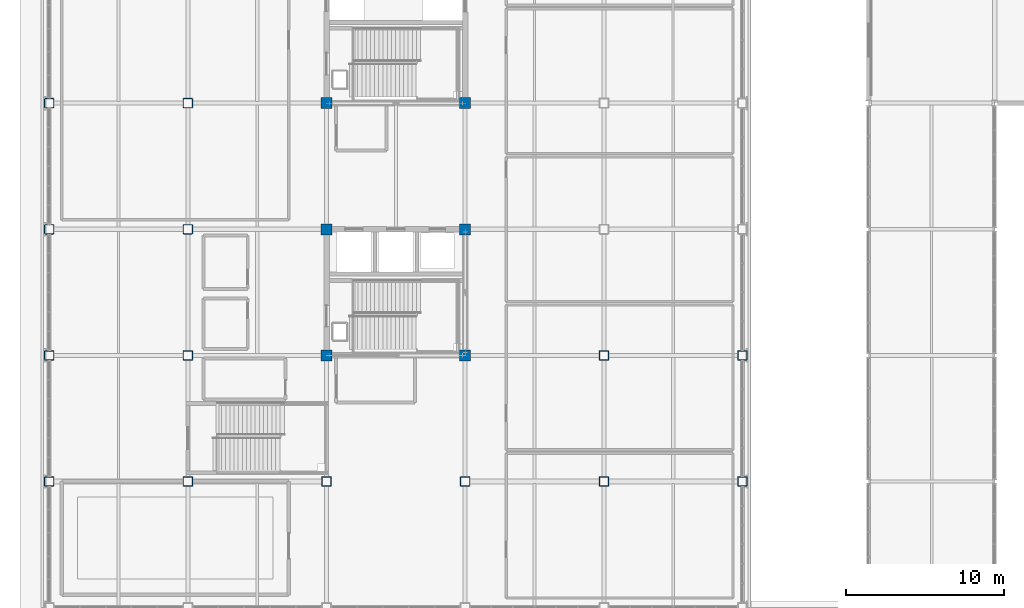
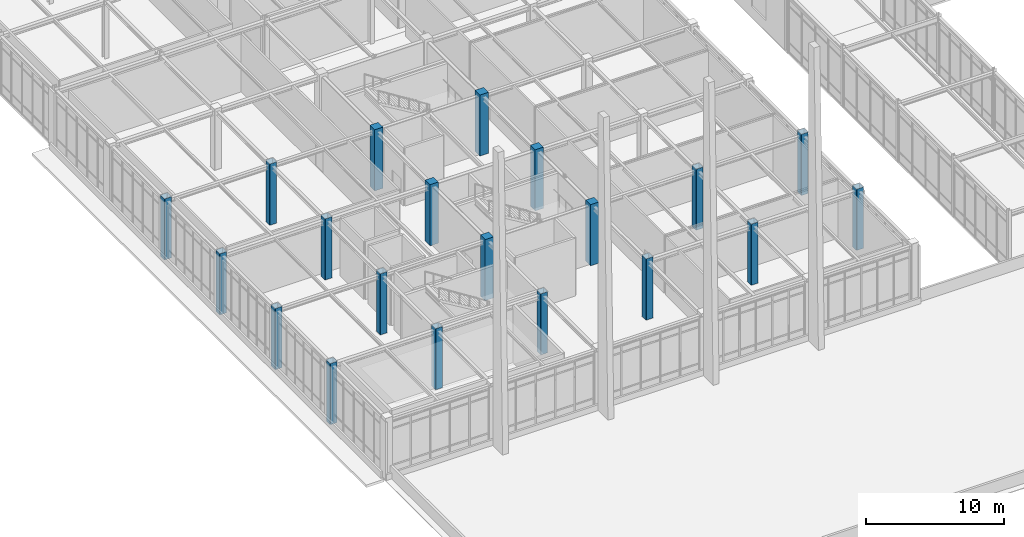
# One storey, part 3 of 108: 20 columns.
"""IFC4 building model written with IfcOpenShell, lengths in metres."""

from ifc_helpers import new_model, si_unit, direction, frame, origin, origin_2d, place, context, subcontext, project, spatial, rectangle, hollow_rectangle, extrude, material, material_profile, profile_set, type_object, element, save


model = new_model("IFC4")

# Units and contexts
model_context = context("Model", 3, precision=1e-05, world=origin(), true_north=direction((0.0, 1.0)))
body_context = subcontext(model_context, "Body", "Model", "MODEL_VIEW")
ifc_project = project(units=[si_unit("LENGTHUNIT", "METRE"), si_unit("AREAUNIT", "SQUARE_METRE"), si_unit("VOLUMEUNIT", "CUBIC_METRE"), si_unit("PLANEANGLEUNIT", "RADIAN"), si_unit("MASSUNIT", "GRAM", prefix="KILO")], contexts=[model_context])

# Site, building, storey
site_placement = place(None, origin())
site = spatial("IfcSite", under=ifc_project, at=site_placement, CompositionType="ELEMENT")
building_placement = place(site_placement, origin())
building = spatial("IfcBuilding", under=site, at=building_placement, Name="Zhaolan Boulevard Law Courts", CompositionType="ELEMENT")
storey_placement = place(building_placement, frame((0.0, 0.0, 10.800048828125)))
storey = spatial("IfcBuildingStorey", under=building, at=storey_placement, Name="L02", CompositionType="ELEMENT", Elevation=10.800048828125)

# Columns
ifc_material_1 = material(Name="Structural steel Q390B", Category="steel")
ifc_material_profile_1 = material_profile(ifc_material_1, hollow_rectangle(XDim=0.60009765625, YDim=0.60009765625, WallThickness=0.02392578125, InnerFilletRadius=0.02392578125, OuterFilletRadius=0.048095703125, at=origin_2d()), Name="BOX600x600x24")
ifc_profile_set_1 = profile_set([ifc_material_profile_1], Name="Structural steel Q390B")
column_type_1 = type_object("IfcColumnType", Name="COL BOX600", PredefinedType="COLUMN", material=ifc_profile_set_1)
for number, where, z_axis, x_axis, name in (
    (1, (0.0, 38.0, 0.0), (0.0, 0.0, 1.0), (1.0, 0.0, 0.0), "Column C-1F (L02)"),
    (2, (0.0, 46.0, 0.0), (0.0, 0.0, 1.0), (1.0, 0.0, 0.0), "Column C-1G (L02)"),
    (3, (0.0, 54.0, 0.0), (0.0, 0.0, 1.0), (1.0, 0.0, 0.0), "Column C-1H (L02)"),
    (4, (0.0, 62.0, 0.0), (0.0, 0.0, 1.0), (1.0, 0.0, 0.0), "Column C-1J (L02)"),
    (5, (8.800048828125, 38.0, 0.0), (0.0, 0.0, 1.0), (1.0, 0.0, 0.0), "Column C-2F (L02)"),
    (6, (8.800048828125, 46.0, 0.0), (0.0, 0.0, 1.0), (1.0, 0.0, 0.0), "Column C-2G (L02)"),
    (7, (8.800048828125, 54.0, 0.0), (0.0, 0.0, 1.0), (1.0, 0.0, 0.0), "Column C-2H (L02)"),
    (8, (8.800048828125, 62.0, 0.0), (0.0, 0.0, 1.0), (1.0, 0.0, 0.0), "Column C-2J (L02)"),
    (9, (17.60009765625, 38.0, 0.0), (0.0, 0.0, 1.0), (1.0, 0.0, 0.0), "Column C-3F (L02)"),
    (10, (26.39990234375, 38.0, 0.0), (0.0, 0.0, 1.0), (1.0, 0.0, 0.0), "Column C-4F (L02)"),
    (11, (35.199951171875, 38.0, 0.0), (0.0, 0.0, 1.0), (1.0, 0.0, 0.0), "Column C-5F (L02)"),
    (12, (35.199951171875, 46.0, 0.0), (0.0, 0.0, 1.0), (1.0, 0.0, 0.0), "Column C-5G (L02)"),
    (13, (44.0, 38.0, 0.0), (0.0, 0.0, 1.0), (1.0, 0.0, 0.0), "Column C-6F (L02)"),
    (14, (44.0, 46.0, 0.0), (0.0, 0.0, 1.0), (1.0, 0.0, 0.0), "Column C-6G (L02)"),
):
    element("IfcColumn", number, at=place(storey_placement, frame(where, z_axis=z_axis, x_axis=x_axis)), inside=storey, type_object=column_type_1, Name=name, PredefinedType="COLUMN", context=body_context, shape_type="SweptSolid", body=[
        extrude(hollow_rectangle(XDim=0.60009765625, YDim=0.60009765625, WallThickness=0.02392578125, InnerFilletRadius=0.02392578125, OuterFilletRadius=0.048095703125, at=origin_2d()), origin(), (0.0, 0.0, 1.0), 5.39990234375),
    ])
ifc_material_2 = material(Name="Concrete C50", Category="concrete")
ifc_material_profile_2 = material_profile(ifc_material_2, rectangle(XDim=0.699951171875, YDim=0.699951171875, at=origin_2d()), Name="RC700x700")
ifc_profile_set_2 = profile_set([ifc_material_profile_2], Name="Concrete C50")
column_type_2 = type_object("IfcColumnType", Name="COL RC700", PredefinedType="COLUMN", material=ifc_profile_set_2)
for number, where, z_axis, x_axis, name in (
    (15, (17.60009765625, 46.0, 0.0), (0.0, 0.0, 1.0), (1.0, 0.0, 0.0), "Column C-3G (L02)"),
    (16, (17.60009765625, 54.0, 0.0), (0.0, 0.0, 1.0), (1.0, 0.0, 0.0), "Column C-3H (L02)"),
    (17, (17.60009765625, 62.0, 0.0), (0.0, 0.0, 1.0), (1.0, 0.0, 0.0), "Column C-3J (L02)"),
    (18, (26.39990234375, 46.0, 0.0), (0.0, 0.0, 1.0), (1.0, 0.0, 0.0), "Column C-4G (L02)"),
    (19, (26.39990234375, 54.0, 0.0), (0.0, 0.0, 1.0), (1.0, 0.0, 0.0), "Column C-4H (L02)"),
    (20, (26.39990234375, 62.0, 0.0), (0.0, 0.0, 1.0), (1.0, 0.0, 0.0), "Column C-4J (L02)"),
):
    element("IfcColumn", number, at=place(storey_placement, frame(where, z_axis=z_axis, x_axis=x_axis)), inside=storey, type_object=column_type_2, Name=name, PredefinedType="COLUMN", context=body_context, shape_type="SweptSolid", body=[
        extrude(rectangle(XDim=0.699951171875, YDim=0.699951171875, at=origin_2d()), origin(), (0.0, 0.0, 1.0), 5.39990234375),
    ])

save(model, "model.ifc")
